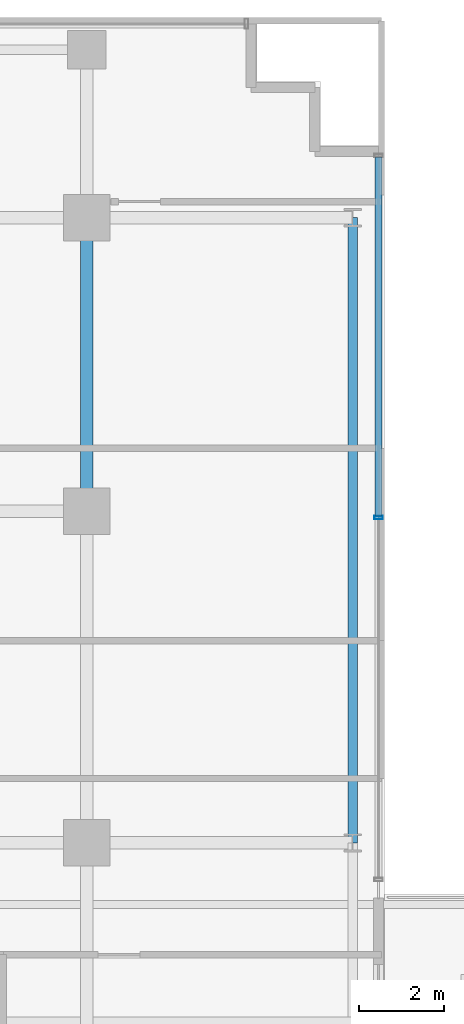
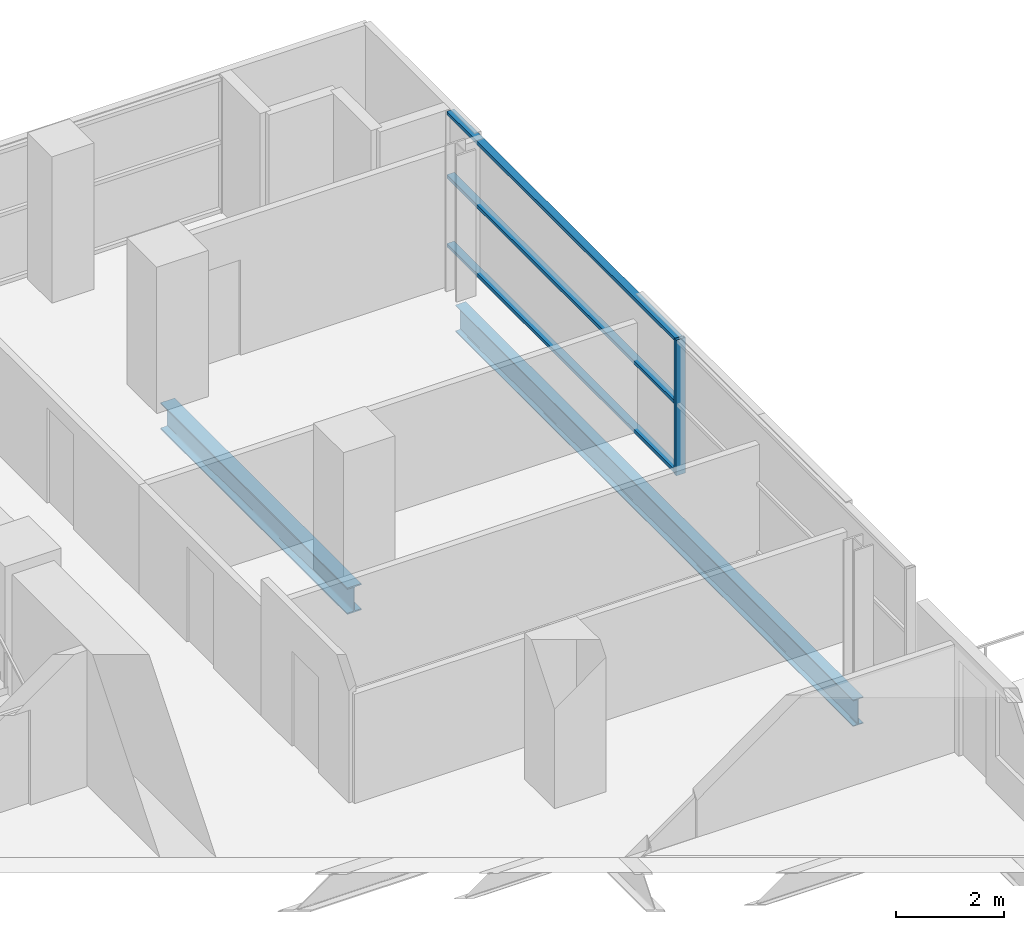
# One storey, part 15 of 30: 4 members, 2 beams, 1 element without a shape of its own.
"""IFC4 building model written with IfcOpenShell, lengths in metres."""

from ifc_helpers import new_model, si_unit, direction, frame, origin, origin_2d, place, context, subcontext, project, spatial, hollow_rectangle, i_section, extrude, source, transform, mapped, material, layer, layer_set, material_profile, profile_set, type_object, element, aggregate, save


model = new_model("IFC4")

# Units and contexts
model_context = context("Model", 3, precision=1e-05, world=origin(), true_north=direction((0.0, 1.0)))
body_context = subcontext(model_context, "Body", "Model", "MODEL_VIEW")
ifc_project = project(units=[si_unit("LENGTHUNIT", "METRE"), si_unit("AREAUNIT", "SQUARE_METRE"), si_unit("VOLUMEUNIT", "CUBIC_METRE"), si_unit("PLANEANGLEUNIT", "RADIAN"), si_unit("MASSUNIT", "GRAM", prefix="KILO")], contexts=[model_context])

# Site, building, storey
site_placement = place(None, origin())
site = spatial("IfcSite", under=ifc_project, at=site_placement, CompositionType="ELEMENT")
building_placement = place(site_placement, origin())
building = spatial("IfcBuilding", under=site, at=building_placement, Name="Zarnakvel Exchange Tower", CompositionType="ELEMENT")
storey_placement = place(building_placement, frame((0.0, 0.0, 50.5)))
storey = spatial("IfcBuildingStorey", under=building, at=storey_placement, Name="L13", CompositionType="ELEMENT", Elevation=50.5)

# Beams
ifc_material_1 = material(Name="Steel S355", Category="steel")
ifc_material_profile_1 = material_profile(ifc_material_1, i_section(OverallWidth=0.300048828125, OverallDepth=0.60009765625, WebThickness=0.015380859375, FlangeThickness=0.030029296875, FilletRadius=0.027099609375, at=origin_2d()))
ifc_profile_set_1 = profile_set([ifc_material_profile_1], Name="Steel S355")
beam_type_1 = type_object("IfcBeamType", Name="G-04", PredefinedType="BEAM", material=ifc_profile_set_1)
beam_1_placement = place(storey_placement, frame((21.60009765625, 6.60009765625, -0.52490234375), z_axis=(0.0, 1.0, 0.0), x_axis=(-1.0, 0.0, 0.0)))
element("IfcBeam", 1, at=beam_1_placement, inside=storey, type_object=beam_type_1, Name="L13 Tower N-S Frame Beam", PredefinedType="BEAM", context=body_context, shape_type="SweptSolid", body=[
    extrude(i_section(OverallWidth=0.300048828125, OverallDepth=0.60009765625, WebThickness=0.015380859375, FlangeThickness=0.030029296875, FilletRadius=0.027099609375, at=origin_2d()), origin(), (0.0, 0.0, 1.0), 6.89990234375),
])
ifc_material_profile_2 = material_profile(ifc_material_1, i_section(OverallWidth=0.219970703125, OverallDepth=0.60009765625, WebThickness=0.011962890625, FlangeThickness=0.01904296875, FilletRadius=0.02392578125, at=origin_2d()))
ifc_profile_set_2 = profile_set([ifc_material_profile_2], Name="Steel S355")
beam_type_2 = type_object("IfcBeamType", Name="SP-01", PredefinedType="SPANDREL", material=ifc_profile_set_2)
beam_2_placement = place(storey_placement, frame((27.85009765625, -1.199951171875, -0.52490234375), z_axis=(0.0, 1.0, 0.0), x_axis=(-1.0, 0.0, 0.0)))
element("IfcBeam", 2, at=beam_2_placement, inside=storey, type_object=beam_type_2, Name="L13 Tower N-S Frame Beam", PredefinedType="SPANDREL", context=body_context, shape_type="SweptSolid", body=[
    extrude(i_section(OverallWidth=0.219970703125, OverallDepth=0.60009765625, WebThickness=0.011962890625, FlangeThickness=0.01904296875, FilletRadius=0.02392578125, at=origin_2d()), origin(), (0.0, 0.0, 1.0), 14.699951171875),
])

# Curtain wall, members
ifc_material_2 = material(Name="Architectural Bronze Anodised Aluminium", Category="aluminium")
ifc_layer = layer(ifc_material_2, 0.199951171875)
ifc_layer_set = layer_set([ifc_layer], Name="Architectural Bronze Anodised Aluminium")
curtain_wall_type = type_object("IfcCurtainWallType", Name="CW-04", PredefinedType="NOTDEFINED", material=ifc_layer_set)
curtain_wall_placement = place(storey_placement, origin())
curtain_wall = element("IfcCurtainWall", 3, at=curtain_wall_placement, inside=storey, type_object=curtain_wall_type, Name="L13 Curtain Wall CW-L13-EN (CW-04)", PredefinedType="NOTDEFINED")
ifc_material_profile_3 = material_profile(ifc_material_2, hollow_rectangle(XDim=0.159912109375, YDim=0.074951171875, WallThickness=0.00390625, at=origin_2d()))
ifc_profile_set_3 = profile_set([ifc_material_profile_3], Name="Architectural Bronze Anodised Aluminium")
member_type_1 = type_object("IfcMemberType", Name="CWT-04", PredefinedType="USERDEFINED", material=ifc_profile_set_3)
shared_shape_1 = source(origin(), body_context, "Body", "SweptSolid", [
    extrude(hollow_rectangle(XDim=0.159912109375, YDim=0.074951171875, WallThickness=0.00390625, at=origin_2d()), origin(), (0.0, 0.0, 1.0), 8.4375),
])
member_1_placement = place(storey_placement, frame((28.4599609375, 6.487548828125, 0.03759765625), z_axis=(0.0, 1.0, 0.0), x_axis=(-1.0, 0.0, 0.0)))
member_1 = element("IfcMember", 4, at=member_1_placement, type_object=member_type_1, Name="CW-04 transom 2.1", ObjectType="TRANSOM", PredefinedType="USERDEFINED", context=body_context, shape_type="MappedRepresentation", body=[
    mapped(shared_shape_1, transform((0.0, 0.0, 0.0), x_axis=(1.0, 0.0, 0.0), y_axis=(0.0, 1.0, 0.0), z_axis=(0.0, 0.0, 1.0), scale=1.0)),
])
member_2_placement = place(storey_placement, frame((28.4599609375, 6.487548828125, 1.588623046875), z_axis=(0.0, 1.0, 0.0), x_axis=(-1.0, 0.0, 0.0)))
member_2 = element("IfcMember", 5, at=member_2_placement, type_object=member_type_1, Name="CW-04 transom 2.2", ObjectType="TRANSOM", PredefinedType="USERDEFINED", context=body_context, shape_type="MappedRepresentation", body=[
    mapped(shared_shape_1, transform((0.0, 0.0, 0.0), x_axis=(1.0, 0.0, 0.0), y_axis=(0.0, 1.0, 0.0), z_axis=(0.0, 0.0, 1.0), scale=1.0)),
])
member_3_placement = place(storey_placement, frame((28.4599609375, 6.487548828125, 3.017578125), z_axis=(0.0, 1.0, 0.0), x_axis=(-1.0, 0.0, 0.0)))
member_3 = element("IfcMember", 6, at=member_3_placement, type_object=member_type_1, Name="CW-04 transom 2.3", ObjectType="TRANSOM", PredefinedType="USERDEFINED", context=body_context, shape_type="MappedRepresentation", body=[
    mapped(shared_shape_1, transform((0.0, 0.0, 0.0), x_axis=(1.0, 0.0, 0.0), y_axis=(0.0, 1.0, 0.0), z_axis=(0.0, 0.0, 1.0), scale=1.0)),
])
ifc_material_profile_4 = material_profile(ifc_material_2, hollow_rectangle(XDim=0.199951171875, YDim=0.074951171875, WallThickness=0.0048828125, at=origin_2d()))
ifc_profile_set_4 = profile_set([ifc_material_profile_4], Name="Architectural Bronze Anodised Aluminium")
member_type_2 = type_object("IfcMemberType", Name="CWM-04", PredefinedType="MULLION", material=ifc_profile_set_4)
shared_shape_2 = source(origin(), body_context, "Body", "SweptSolid", [
    extrude(hollow_rectangle(XDim=0.199951171875, YDim=0.074951171875, WallThickness=0.0048828125, at=origin_2d()), origin(), (0.0, 0.0, 1.0), 3.054931640625),
])
member_4_placement = place(storey_placement, frame((28.4599609375, 6.449951171875, 0.0), z_axis=(0.0, 0.0, 1.0), x_axis=(-1.0, 0.0, 0.0)))
member_4 = element("IfcMember", 7, at=member_4_placement, type_object=member_type_2, Name="CW-04 mullion 2", PredefinedType="MULLION", context=body_context, shape_type="MappedRepresentation", body=[
    mapped(shared_shape_2, transform((0.0, 0.0, 0.0), x_axis=(1.0, 0.0, 0.0), y_axis=(0.0, 1.0, 0.0), z_axis=(0.0, 0.0, 1.0), scale=1.0)),
])
aggregate(curtain_wall, [member_4, member_1, member_2, member_3])

save(model, "model.ifc")
